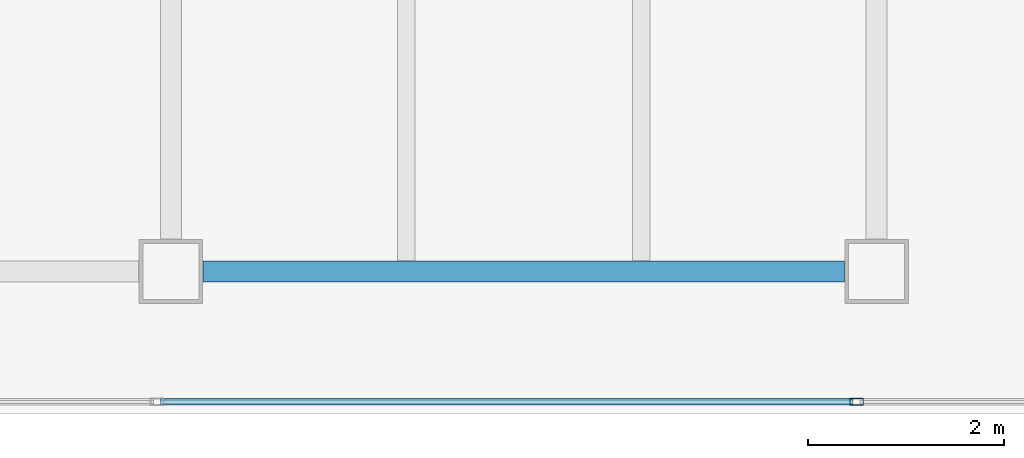
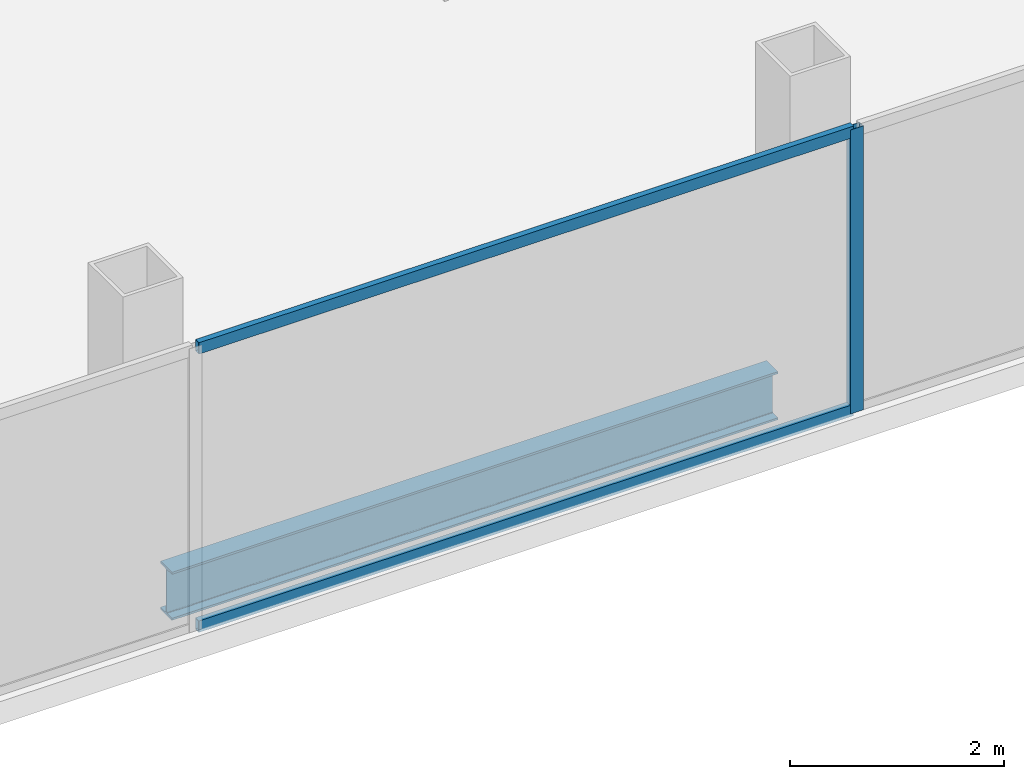
# One storey, part 12 of 23: 3 members, 1 beam, 1 element without a shape of its own.
"""IFC4 building model written with IfcOpenShell, lengths in metres."""

from ifc_helpers import new_model, si_unit, direction, frame, origin, origin_2d, place, context, subcontext, project, spatial, hollow_rectangle, i_section, extrude, material, material_profile, profile_set, type_object, element, aggregate, save


model = new_model("IFC4")

# Units and contexts
model_context = context("Model", 3, precision=1e-05, world=origin(), true_north=direction((0.0, 1.0)))
body_context = subcontext(model_context, "Body", "Model", "MODEL_VIEW")
ifc_project = project(units=[si_unit("LENGTHUNIT", "METRE"), si_unit("AREAUNIT", "SQUARE_METRE"), si_unit("VOLUMEUNIT", "CUBIC_METRE"), si_unit("PLANEANGLEUNIT", "RADIAN"), si_unit("MASSUNIT", "GRAM", prefix="KILO")], contexts=[model_context])

# Site, building, storey
site_placement = place(None, origin())
site = spatial("IfcSite", under=ifc_project, at=site_placement, CompositionType="ELEMENT")
building_placement = place(site_placement, origin())
building = spatial("IfcBuilding", under=site, at=building_placement, Name="Cobrela Telecom Tower", CompositionType="ELEMENT")
storey_placement = place(building_placement, frame((0.0, 0.0, 258.64990234375)))
storey = spatial("IfcBuildingStorey", under=building, at=storey_placement, Name="L67", CompositionType="ELEMENT", Elevation=258.64990234375)

# Beam
ifc_material_1 = material(Name="Steel ASTM A992 Grade 50", Category="steel")
ifc_material_profile_1 = material_profile(ifc_material_1, i_section(OverallWidth=0.212890625, OverallDepth=0.549072265625, WebThickness=0.0146484375, FlangeThickness=0.023681640625, FilletRadius=0.013916015625, at=origin_2d()), Name="W21X93")
ifc_profile_set_1 = profile_set([ifc_material_profile_1], Name="Steel ASTM A992 Grade 50")
beam_type = type_object("IfcBeamType", Name="BM-GIRD-08", PredefinedType="USERDEFINED", material=ifc_profile_set_1)
beam_placement = place(storey_placement, frame((29.1298828125, 7.85009765625, -0.534423828125), z_axis=(1.0, 0.0, 0.0), x_axis=(0.0, 1.0, 0.0)))
element("IfcBeam", 1, at=beam_placement, inside=storey, type_object=beam_type, Name="L67 Primary Girder X04", ObjectType="GIRDER", PredefinedType="USERDEFINED", context=body_context, shape_type="SweptSolid", body=[
    extrude(i_section(OverallWidth=0.212890625, OverallDepth=0.549072265625, WebThickness=0.0146484375, FlangeThickness=0.023681640625, FilletRadius=0.013916015625, at=origin_2d()), origin(), (0.0, 0.0, 1.0), 6.5400390625),
])

# Curtain wall, members
ifc_material_2 = material(Name="Anodized Bronze Aluminium 6063-T6", Category="aluminium")
curtain_wall_type = type_object("IfcCurtainWallType", Name="CW-SYS-OFF-HI", PredefinedType="USERDEFINED", material=ifc_material_2)
curtain_wall_placement = place(storey_placement, origin())
curtain_wall = element("IfcCurtainWall", 2, at=curtain_wall_placement, inside=storey, type_object=curtain_wall_type, Name="L67 Unitised Bronze Curtain Wall 15", ObjectType="UNITISED CURTAIN WALL", PredefinedType="USERDEFINED")
ifc_material_profile_2 = material_profile(ifc_material_2, hollow_rectangle(XDim=0.070068359375, YDim=0.139892578125, WallThickness=0.00390625, at=origin_2d()), Name="ALU 70x140x4")
ifc_profile_set_2 = profile_set([ifc_material_profile_2], Name="Anodized Bronze Aluminium 6063-T6")
member_type_1 = type_object("IfcMemberType", Name="CW-SYS-OFF-HI-MUL", PredefinedType="MULLION", material=ifc_profile_set_2)
member_1_placement = place(storey_placement, frame((35.794921875, 6.52001953125, 0.0), z_axis=(0.0, 0.0, 1.0), x_axis=(0.0, -1.0, 0.0)))
member_1 = element("IfcMember", 3, at=member_1_placement, type_object=member_type_1, Name="CW-OFF-HI mullion 2", PredefinedType="MULLION", context=body_context, shape_type="SweptSolid", body=[
    extrude(hollow_rectangle(XDim=0.070068359375, YDim=0.139892578125, WallThickness=0.00390625, at=origin_2d()), origin(), (0.0, 0.0, 1.0), 3.239990234375),
])
ifc_material_profile_3 = material_profile(ifc_material_2, hollow_rectangle(XDim=0.06494140625, YDim=0.1298828125, WallThickness=0.00390625, at=origin_2d()), Name="ALU 65x130x4")
ifc_profile_set_3 = profile_set([ifc_material_profile_3], Name="Anodized Bronze Aluminium 6063-T6")
member_type_2 = type_object("IfcMemberType", Name="CW-SYS-OFF-HI-TRN", PredefinedType="USERDEFINED", material=ifc_profile_set_3)
member_2_placement = place(storey_placement, frame((35.760009765625, 6.52001953125, 0.03271484375), z_axis=(-1.0, 0.0, 0.0), x_axis=(0.0, -1.0, 0.0)))
member_2 = element("IfcMember", 4, at=member_2_placement, type_object=member_type_2, Name="CW-OFF-HI transom 2.1", ObjectType="TRANSOM", PredefinedType="USERDEFINED", context=body_context, shape_type="SweptSolid", body=[
    extrude(hollow_rectangle(XDim=0.06494140625, YDim=0.1298828125, WallThickness=0.00390625, at=origin_2d()), origin(), (0.0, 0.0, 1.0), 7.06494140625),
])
member_3_placement = place(storey_placement, frame((35.760009765625, 6.52001953125, 3.20751953125), z_axis=(-1.0, 0.0, 0.0), x_axis=(0.0, -1.0, 0.0)))
member_3 = element("IfcMember", 5, at=member_3_placement, type_object=member_type_2, Name="CW-OFF-HI transom 2.2", ObjectType="TRANSOM", PredefinedType="USERDEFINED", context=body_context, shape_type="SweptSolid", body=[
    extrude(hollow_rectangle(XDim=0.06494140625, YDim=0.1298828125, WallThickness=0.00390625, at=origin_2d()), origin(), (0.0, 0.0, 1.0), 7.06494140625),
])
aggregate(curtain_wall, [member_1, member_2, member_3])

save(model, "model.ifc")
